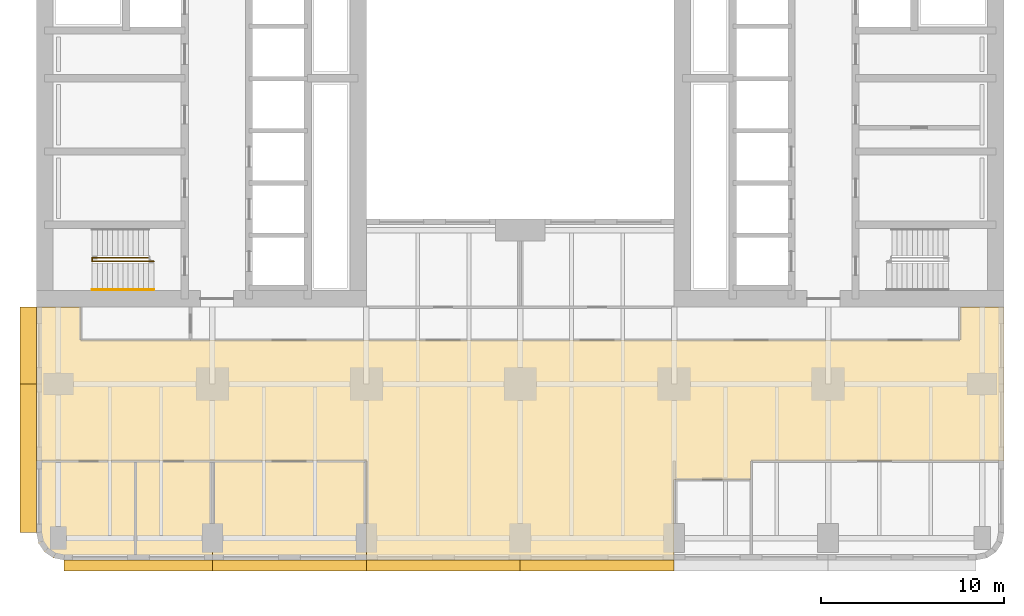
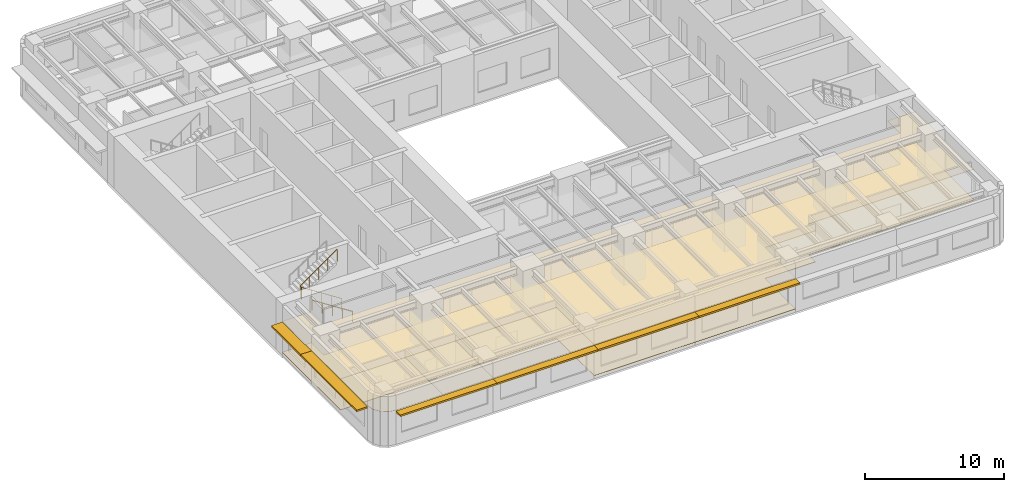
# One storey, part 9 of 14: 6 shading devices, 5 coverings, 2 railings.
"""IFC4 building model written with IfcOpenShell, lengths in metres."""

from ifc_helpers import new_model, si_unit, direction, frame, origin, origin_2d, place, context, subcontext, project, spatial, polyline, rectangle, circle, outline, extrude, material, layer, layer_set, type_object, element, save


model = new_model("IFC4")

# Units and contexts
model_context = context("Model", 3, precision=1e-05, world=origin(), true_north=direction((0.0, 1.0)))
body_context = subcontext(model_context, "Body", "Model", "MODEL_VIEW")
ifc_project = project(units=[si_unit("LENGTHUNIT", "METRE"), si_unit("AREAUNIT", "SQUARE_METRE"), si_unit("VOLUMEUNIT", "CUBIC_METRE"), si_unit("PLANEANGLEUNIT", "RADIAN"), si_unit("MASSUNIT", "GRAM", prefix="KILO")], contexts=[model_context])

# Site, building, storey
site_placement = place(None, origin())
site = spatial("IfcSite", under=ifc_project, at=site_placement, CompositionType="ELEMENT")
building_placement = place(site_placement, origin())
building = spatial("IfcBuilding", under=site, at=building_placement, Name="Claustro Exchange Tower", CompositionType="ELEMENT")
storey_placement = place(building_placement, frame((0.0, 0.0, 27.89990234375)))
storey = spatial("IfcBuildingStorey", under=building, at=storey_placement, Name="L06", CompositionType="ELEMENT", Elevation=27.89990234375)

# Coverings
ifc_material_1 = material(Name="Gypsum board ceiling", Category="gypsum board")
ifc_layer_1 = layer(ifc_material_1, 0.02490234375)
ifc_layer_set_1 = layer_set([ifc_layer_1], Name="Gypsum board ceiling")
covering_type_1 = type_object("IfcCoveringType", Name="CL2 plasterboard ceiling", PredefinedType="CEILING", material=ifc_layer_set_1)
covering_1_placement = place(storey_placement, frame((0.0, 0.0, 3.0)))
element("IfcCovering", 1, at=covering_1_placement, inside=storey, type_object=covering_type_1, Name="Ceiling CL2 L06-02", PredefinedType="CEILING", context=body_context, shape_type="SweptSolid", body=[
    extrude(outline(polyline([(-1.085693359375, -0.27392578125), (-0.7607421875, -0.7607421875), (-0.27392578125, -1.085693359375), (0.300048828125, -1.199951171875), (4.199951171875, -1.199951171875), (4.199951171875, 4.199951171875), (-1.199951171875, 4.199951171875), (-1.199951171875, 0.300048828125), (-1.085693359375, -0.27392578125)])), origin(), (0.0, 0.0, 1.0), 0.025146484375),
])
covering_2_placement = place(storey_placement, frame((0.0, 0.0, 3.0)))
element("IfcCovering", 2, at=covering_2_placement, inside=storey, type_object=covering_type_1, Name="Ceiling CL2 L06-03", PredefinedType="CEILING", context=body_context, shape_type="SweptSolid", body=[
    extrude(outline(polyline([(4.199951171875, -1.199951171875), (8.39990234375, -1.199951171875), (8.39990234375, 4.199951171875), (4.199951171875, 4.199951171875), (4.199951171875, -1.199951171875)])), origin(), (0.0, 0.0, 1.0), 0.025146484375),
])
covering_3_placement = place(storey_placement, frame((0.0, 0.0, 3.0)))
element("IfcCovering", 3, at=covering_3_placement, inside=storey, type_object=covering_type_1, Name="Ceiling CL2 L06-04", PredefinedType="CEILING", context=body_context, shape_type="SweptSolid", body=[
    extrude(outline(polyline([(8.39990234375, -1.199951171875), (16.800048828125, -1.199951171875), (16.800048828125, 4.199951171875), (8.39990234375, 4.199951171875), (8.39990234375, -1.199951171875)])), origin(), (0.0, 0.0, 1.0), 0.025146484375),
])
covering_4_placement = place(storey_placement, frame((0.0, 0.0, 3.0)))
element("IfcCovering", 4, at=covering_4_placement, inside=storey, type_object=covering_type_1, Name="Ceiling CL2 L06-06", PredefinedType="CEILING", context=body_context, shape_type="SweptSolid", body=[
    extrude(outline(polyline([(-1.199951171875, 12.60009765625), (-1.199951171875, 4.199951171875), (4.199951171875, 4.199951171875), (8.39990234375, 4.199951171875), (16.800048828125, 4.199951171875), (16.800048828125, -1.199951171875), (33.60009765625, -1.199951171875), (33.60009765625, 3.199951171875), (37.800048828125, 3.199951171875), (37.800048828125, 4.199951171875), (51.60009765625, 4.199951171875), (51.60009765625, 12.60009765625), (49.199951171875, 12.60009765625), (49.199951171875, 10.800048828125), (7.199951171875, 10.800048828125), (1.199951171875, 10.800048828125), (1.199951171875, 12.60009765625), (-1.199951171875, 12.60009765625)])), origin(), (0.0, 0.0, 1.0), 0.025146484375),
])

# Railings
ifc_material_2 = material(Name="Steel balustrade, painted", Category="steel")
railing_type_1 = type_object("IfcRailingType", Name="GR2 1100 steel stair guard", PredefinedType="GUARDRAIL", material=ifc_material_2)
railing_1_placement = place(storey_placement, frame((5.199951171875, 15.10009765625, 0.18017578125)))
element("IfcRailing", 5, at=railing_1_placement, inside=storey, type_object=railing_type_1, Name="Stair well guard GR2 stair STWA L06", PredefinedType="GUARDRAIL", context=body_context, shape_type="SweptSolid", body=[
    extrude(circle(Radius=0.02392578125, at=origin_2d()), frame((0.0, 0.0, 1.076171875), z_axis=(-0.841178475377, 0.0, 0.540757591313), x_axis=(0.0, -1.0, 0.0)), (0.0, 0.0, 1.0), 3.994140625),
    extrude(circle(Radius=0.02392578125, at=origin_2d()), frame((-3.35986328125, 0.0, 3.23583984375), z_axis=(0.0, 1.0, 0.0), x_axis=(-1.0, 0.0, 0.0)), (0.0, 0.0, 1.0), 0.199951171875),
    extrude(circle(Radius=0.02392578125, at=origin_2d()), frame((-3.35986328125, 0.199951171875, 3.23583984375), z_axis=(0.818728512145, 0.0, 0.574180828137), x_axis=(0.0, 1.0, 0.0)), (0.0, 0.0, 1.0), 3.76171875),
    extrude(circle(Radius=0.02099609375, at=origin_2d()), origin(), (0.0, 0.0, 1.0), 1.052001953125),
    extrude(circle(Radius=0.02099609375, at=origin_2d()), frame((-0.83984375, 0.0, 0.5400390625)), (0.0, 0.0, 1.0), 1.052001953125),
    extrude(circle(Radius=0.02099609375, at=origin_2d()), frame((-1.679931640625, 0.0, 1.080078125)), (0.0, 0.0, 1.0), 1.052001953125),
    extrude(circle(Radius=0.02099609375, at=origin_2d()), frame((-2.52001953125, 0.0, 1.619873046875)), (0.0, 0.0, 1.0), 1.052001953125),
    extrude(circle(Radius=0.02099609375, at=origin_2d()), frame((-3.35986328125, 0.0, 2.159912109375)), (0.0, 0.0, 1.0), 1.052001953125),
    extrude(circle(Radius=0.02099609375, at=origin_2d()), frame((-3.35986328125, 0.199951171875, 2.159912109375)), (0.0, 0.0, 1.0), 1.052001953125),
    extrude(circle(Radius=0.02099609375, at=origin_2d()), frame((-2.58984375, 0.199951171875, 2.699951171875)), (0.0, 0.0, 1.0), 1.052001953125),
    extrude(circle(Radius=0.02099609375, at=origin_2d()), frame((-1.81982421875, 0.199951171875, 3.23974609375)), (0.0, 0.0, 1.0), 1.052001953125),
    extrude(circle(Radius=0.02099609375, at=origin_2d()), frame((-1.050048828125, 0.199951171875, 3.77978515625)), (0.0, 0.0, 1.0), 1.052001953125),
    extrude(circle(Radius=0.02099609375, at=origin_2d()), frame((-0.280029296875, 0.199951171875, 4.31982421875)), (0.0, 0.0, 1.0), 1.052001953125),
])
ifc_material_3 = material(Name="Stainless steel tube", Category="steel")
railing_type_2 = type_object("IfcRailingType", Name="HR1 900 stair handrail", PredefinedType="HANDRAIL", material=ifc_material_3)
railing_2_placement = place(storey_placement, frame((5.199951171875, 13.56005859375, 0.18017578125)))
element("IfcRailing", 6, at=railing_2_placement, inside=storey, type_object=railing_type_2, Name="Handrail HR1 stair STWA L06", PredefinedType="HANDRAIL", context=body_context, shape_type="SweptSolid", body=[
    extrude(circle(Radius=0.02392578125, at=origin_2d()), frame((0.0, 0.0, 0.8759765625), z_axis=(-0.841178475377, 0.0, 0.540757591313), x_axis=(0.0, -1.0, 0.0)), (0.0, 0.0, 1.0), 3.994140625),
    extrude(circle(Radius=0.02099609375, at=origin_2d()), origin(), (0.0, 0.0, 1.0), 0.851806640625),
    extrude(circle(Radius=0.02099609375, at=origin_2d()), frame((-0.83984375, 0.0, 0.5400390625)), (0.0, 0.0, 1.0), 0.851806640625),
    extrude(circle(Radius=0.02099609375, at=origin_2d()), frame((-1.679931640625, 0.0, 1.080078125)), (0.0, 0.0, 1.0), 0.851806640625),
    extrude(circle(Radius=0.02099609375, at=origin_2d()), frame((-2.52001953125, 0.0, 1.619873046875)), (0.0, 0.0, 1.0), 0.851806640625),
    extrude(circle(Radius=0.02099609375, at=origin_2d()), frame((-3.35986328125, 0.0, 2.159912109375)), (0.0, 0.0, 1.0), 0.851806640625),
])

# Covering
ifc_material_4 = material(Name="Steel-encased raised floor panels on pedestals", Category="steel")
ifc_layer_2 = layer(ifc_material_4, 0.0400390625)
ifc_layer_set_2 = layer_set([ifc_layer_2], Name="Steel-encased raised floor panels on pedestals")
covering_type_2 = type_object("IfcCoveringType", Name="RF1 300 raised access floor", PredefinedType="FLOORING", material=ifc_layer_set_2)
covering_5_placement = place(storey_placement, frame((0.0, 0.0, 0.260009765625)))
element("IfcCovering", 7, at=covering_5_placement, inside=storey, type_object=covering_type_2, Name="Raised access floor RF1 L06-06", PredefinedType="FLOORING", context=body_context, shape_type="SweptSolid", body=[
    extrude(outline(polyline([(-1.199951171875, 12.60009765625), (-1.199951171875, 4.199951171875), (4.199951171875, 4.199951171875), (8.39990234375, 4.199951171875), (16.800048828125, 4.199951171875), (16.800048828125, -1.199951171875), (33.60009765625, -1.199951171875), (33.60009765625, 3.199951171875), (37.800048828125, 3.199951171875), (37.800048828125, 4.199951171875), (51.60009765625, 4.199951171875), (51.60009765625, 12.60009765625), (49.199951171875, 12.60009765625), (49.199951171875, 10.800048828125), (7.199951171875, 10.800048828125), (1.199951171875, 10.800048828125), (1.199951171875, 12.60009765625), (-1.199951171875, 12.60009765625)])), origin(), (0.0, 0.0, 1.0), 0.0400390625),
])

# Shading devices
ifc_material_5 = material(Name="Concrete HA-40 (C40/50), precast, white cement, acid-etched", Category="concrete")
ifc_layer_3 = layer(ifc_material_5, 0.14990234375)
ifc_layer_set_3 = layer_set([ifc_layer_3], Name="Concrete HA-40 (C40/50), precast, white cement, acid-etched")
shading_device_type_1 = type_object("IfcShadingDeviceType", Name="SS1 600 precast concrete SUNSHADE", PredefinedType="SHUTTER", material=ifc_layer_set_3)
for number, where, z_axis, x_axis, name in (
    (8, (29.39990234375, -1.5, 2.800048828125), (0.0, 0.0, 1.0), (-1.0, 0.0, 0.0), "Precast SUNSHADE SS1 L06"),
    (9, (21.0, -1.5, 2.800048828125), (0.0, 0.0, 1.0), (-1.0, 0.0, 0.0), "Precast SUNSHADE SS1 L06"),
    (10, (12.60009765625, -1.5, 2.800048828125), (0.0, 0.0, 1.0), (-1.0, 0.0, 0.0), "Precast SUNSHADE SS1 L06"),
):
    element("IfcShadingDevice", number, at=place(storey_placement, frame(where, z_axis=z_axis, x_axis=x_axis)), inside=storey, type_object=shading_device_type_1, Name=name, PredefinedType="SHUTTER", context=body_context, shape_type="SweptSolid", body=[
        extrude(rectangle(XDim=8.39990234375, YDim=0.60009765625, at=origin_2d()), origin(), (0.0, 0.0, 1.0), 0.14990234375),
    ])
shading_device_1_placement = place(storey_placement, frame((4.357421875, -1.5, 2.800048828125), z_axis=(0.0, 0.0, 1.0), x_axis=(-1.0, 0.0, 0.0)))
element("IfcShadingDevice", 11, at=shading_device_1_placement, inside=storey, type_object=shading_device_type_1, Name="Precast SUNSHADE SS1 L06", PredefinedType="SHUTTER", context=body_context, shape_type="SweptSolid", body=[
    extrude(rectangle(XDim=8.085205078125, YDim=0.60009765625, at=origin_2d()), origin(), (0.0, 0.0, 1.0), 0.14990234375),
])
ifc_material_6 = material(Name="Concrete HA-40 (C40/50), precast, white cement, acid-etched", Category="concrete")
ifc_layer_4 = layer(ifc_material_6, 0.14990234375)
ifc_layer_set_4 = layer_set([ifc_layer_4], Name="Concrete HA-40 (C40/50), precast, white cement, acid-etched")
shading_device_type_2 = type_object("IfcShadingDeviceType", Name="SS2 900 precast concrete SUNSHADE", PredefinedType="SHUTTER", material=ifc_layer_set_4)
shading_device_2_placement = place(storey_placement, frame((-1.64990234375, 4.357421875, 2.800048828125), z_axis=(0.0, 0.0, 1.0), x_axis=(0.0, 1.0, 0.0)))
element("IfcShadingDevice", 12, at=shading_device_2_placement, inside=storey, type_object=shading_device_type_2, Name="Precast SUNSHADE SS2 L06", PredefinedType="SHUTTER", context=body_context, shape_type="SweptSolid", body=[
    extrude(rectangle(XDim=8.085205078125, YDim=0.89990234375, at=origin_2d()), origin(), (0.0, 0.0, 1.0), 0.14990234375),
])
shading_device_3_placement = place(storey_placement, frame((-1.64990234375, 10.5, 2.800048828125), z_axis=(0.0, 0.0, 1.0), x_axis=(0.0, 1.0, 0.0)))
element("IfcShadingDevice", 13, at=shading_device_3_placement, inside=storey, type_object=shading_device_type_2, Name="Precast SUNSHADE SS2 L06", PredefinedType="SHUTTER", context=body_context, shape_type="SweptSolid", body=[
    extrude(rectangle(XDim=4.199951171875, YDim=0.89990234375, at=origin_2d()), origin(), (0.0, 0.0, 1.0), 0.14990234375),
])

save(model, "model.ifc")
